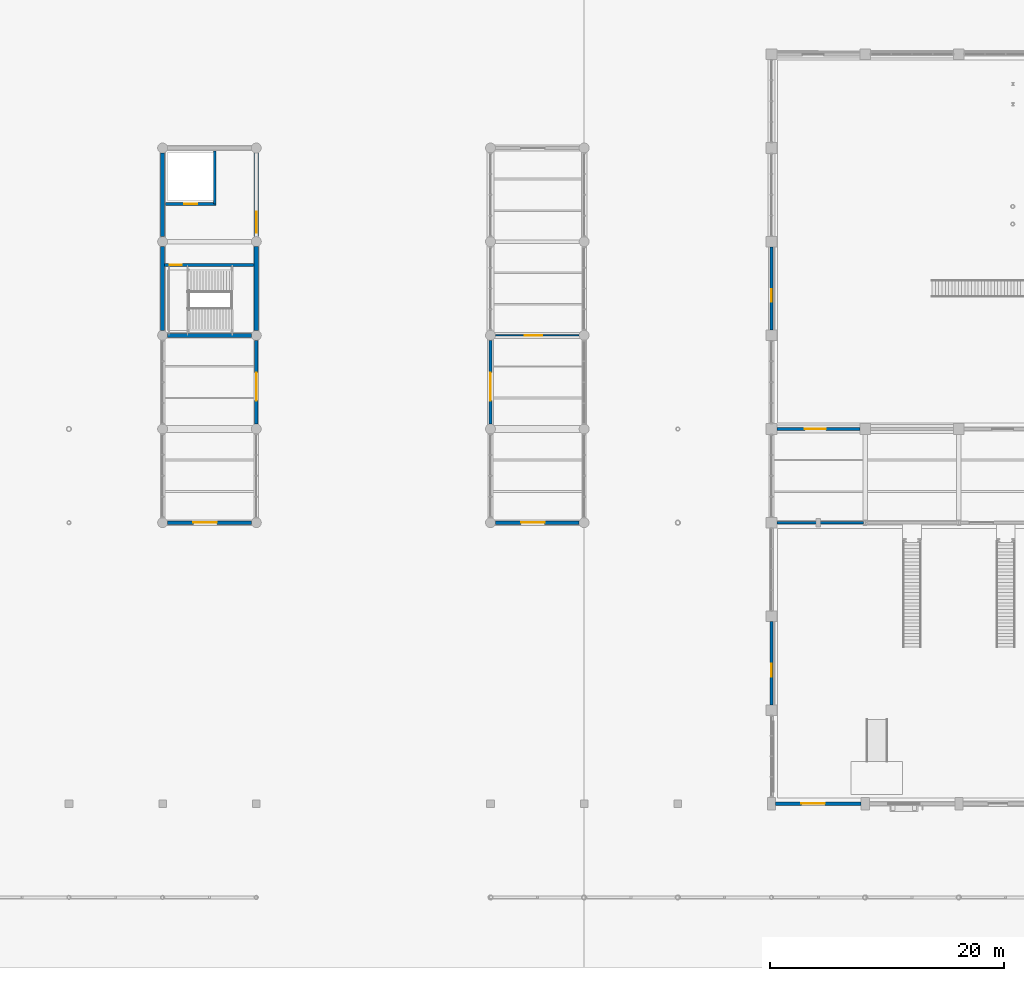
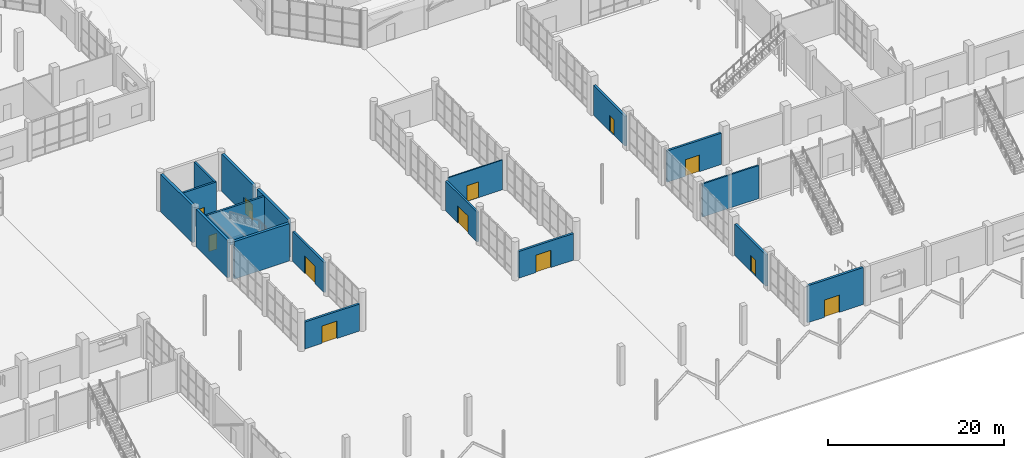
# One storey, part 98 of 123: 18 walls, 12 doors, 12 openings.
"""IFC4 building model written with IfcOpenShell, lengths in metres."""

from ifc_helpers import new_model, si_unit, direction, frame, frame_2d, origin, place, context, subcontext, project, spatial, rectangle, extrude, material, layer, layer_set, type_object, element, fill, save


model = new_model("IFC4")

# Units and contexts
model_context = context("Model", 3, precision=1e-05, world=origin(), true_north=direction((0.0, 1.0)))
body_context = subcontext(model_context, "Body", "Model", "MODEL_VIEW")
ifc_project = project(units=[si_unit("LENGTHUNIT", "METRE"), si_unit("AREAUNIT", "SQUARE_METRE"), si_unit("VOLUMEUNIT", "CUBIC_METRE"), si_unit("PLANEANGLEUNIT", "RADIAN"), si_unit("MASSUNIT", "GRAM", prefix="KILO")], contexts=[model_context])

# Site, building, storey
site_placement = place(None, origin())
site = spatial("IfcSite", under=ifc_project, at=site_placement, CompositionType="ELEMENT")
building_placement = place(site_placement, origin())
building = spatial("IfcBuilding", under=site, at=building_placement, Name="Tenunan Teduh Sports Hall", CompositionType="ELEMENT")
storey_placement = place(building_placement, origin())
storey = spatial("IfcBuildingStorey", under=building, at=storey_placement, Name="L00", CompositionType="ELEMENT", Elevation=0.0)

# Wall, opening, door
ifc_material_1 = material(Name="Concrete C40/50", Category="concrete")
ifc_layer_1 = layer(ifc_material_1, 0.25)
ifc_layer_set_1 = layer_set([ifc_layer_1], Name="Concrete C40/50")
wall_type_1 = type_object("IfcWallType", Name="WL-COR-250", PredefinedType="SOLIDWALL", material=ifc_layer_set_1)
wall_1_placement = place(storey_placement, frame((70.175048828125, 60.0, 0.0), z_axis=(0.0, 0.0, 1.0), x_axis=(1.0, 0.0, 0.0)))
wall_1 = element("IfcWall", 1, at=wall_1_placement, inside=storey, type_object=wall_type_1, Name="WL-COR-L00-233", PredefinedType="SOLIDWALL", context=body_context, shape_type="SweptSolid", body=[
    extrude(rectangle(XDim=7.64990234375, YDim=0.25, at=frame_2d((3.824951171875, 0.0))), origin(), (0.0, 0.0, 1.0), 5.179931640625),
])
opening_1_placement = place(wall_1_placement, frame((0.425048828125, 0.0, 0.0)))
opening_1 = element("IfcOpeningElement", 2, at=opening_1_placement, cuts=wall_1, Name="Opening FD-02", PredefinedType="OPENING", context=body_context, shape_type="SweptSolid", body=[
    extrude(rectangle(XDim=1.050048828125, YDim=2.199951171875, at=frame_2d((0.52490234375, 1.10009765625))), frame((0.0, 0.135009765625, 0.0), z_axis=(0.0, -1.0, 0.0), x_axis=(1.0, 0.0, 0.0)), (0.0, 0.0, 1.0), 0.27001953125),
])
ifc_material_2 = material(Name="Fire-rated steel leaf and frame", Category="steel")
door_type_1 = type_object("IfcDoorType", Name="FDR-02", OperationType="SINGLE_SWING_RIGHT", PredefinedType="DOOR", material=ifc_material_2)
door_1_placement = place(opening_1_placement, frame((1.050048828125, 0.0, 0.0), z_axis=(0.0, 0.0, 1.0), x_axis=(-1.0, 0.0, 0.0)))
door_1 = element("IfcDoor", 3, at=door_1_placement, inside=storey, type_object=door_type_1, Name="DR-INT-L00-089", OperationType="SINGLE_SWING_LEFT", OverallHeight=2.199951171875, OverallWidth=1.050048828125, PredefinedType="DOOR", context=body_context, shape_type="SweptSolid", body=[
    extrude(rectangle(XDim=1.050048828125, YDim=2.199951171875, at=frame_2d((0.52490234375, 1.10009765625))), frame((0.0, 0.02490234375, 0.0), z_axis=(0.0, -1.0, 0.0), x_axis=(1.0, 0.0, 0.0)), (0.0, 0.0, 1.0), 0.050048828125),
])
fill(opening_1, door_1)

wall_2_placement = place(storey_placement, frame((70.25, 65.199951171875, 0.0), z_axis=(0.0, 0.0, 1.0), x_axis=(1.0, 0.0, 0.0)))
wall_2 = element("IfcWall", 4, at=wall_2_placement, inside=storey, type_object=wall_type_1, Name="WL-COR-L00-234", PredefinedType="SOLIDWALL", context=body_context, shape_type="SweptSolid", body=[
    extrude(rectangle(XDim=4.300048828125, YDim=0.25, at=frame_2d((2.14990234375, 0.0))), origin(), (0.0, 0.0, 1.0), 5.179931640625),
])
opening_2_placement = place(wall_2_placement, frame((1.60009765625, 0.0, 0.0)))
opening_2 = element("IfcOpeningElement", 5, at=opening_2_placement, cuts=wall_2, Name="Opening LD-1", PredefinedType="OPENING", context=body_context, shape_type="SweptSolid", body=[
    extrude(rectangle(XDim=1.10009765625, YDim=2.199951171875, at=frame_2d((0.550048828125, 1.10009765625))), frame((0.0, 0.135009765625, 0.0), z_axis=(0.0, -1.0, 0.0), x_axis=(1.0, 0.0, 0.0)), (0.0, 0.0, 1.0), 0.27001953125),
])
ifc_material_3 = material(Name="Brushed stainless steel landing doors", Category="steel")
door_type_2 = type_object("IfcDoorType", Name="LDR-01", OperationType="DOUBLE_DOOR_SLIDING", PredefinedType="DOOR", material=ifc_material_3)
door_2_placement = place(opening_2_placement, origin())
door_2 = element("IfcDoor", 6, at=door_2_placement, inside=storey, type_object=door_type_2, Name="Lift Landing Door LD-33", OperationType="DOUBLE_DOOR_SLIDING", OverallHeight=2.199951171875, OverallWidth=1.10009765625, PredefinedType="DOOR", context=body_context, shape_type="SweptSolid", body=[
    extrude(rectangle(XDim=1.10009765625, YDim=2.199951171875, at=frame_2d((0.550048828125, 1.10009765625))), frame((0.0, 0.02490234375, 0.0), z_axis=(0.0, -1.0, 0.0), x_axis=(1.0, 0.0, 0.0)), (0.0, 0.0, 1.0), 0.050048828125),
])
fill(opening_2, door_2)

# Wall
wall_3_placement = place(storey_placement, frame((74.449951171875, 65.199951171875, 0.0), z_axis=(0.0, 0.0, 1.0), x_axis=(0.0, 1.0, 0.0)))
element("IfcWall", 7, at=wall_3_placement, inside=storey, type_object=wall_type_1, Name="WL-COR-L00-235", PredefinedType="SOLIDWALL", context=body_context, shape_type="SweptSolid", body=[
    extrude(rectangle(XDim=4.550048828125, YDim=0.25, at=frame_2d((2.27490234375, 0.0))), origin(), (0.0, 0.0, 1.0), 5.179931640625),
])

# Wall, opening, door
ifc_material_4 = material(Name="Concrete C40/50", Category="concrete")
ifc_layer_2 = layer(ifc_material_4, 0.280029296875)
ifc_layer_set_2 = layer_set([ifc_layer_2], Name="Concrete C40/50")
wall_type_2 = type_object("IfcWallType", Name="WL-EXT-280", PredefinedType="SOLIDWALL", material=ifc_layer_set_2)
wall_4_placement = place(storey_placement, frame((122.449951171875, 46.0, 0.0), z_axis=(0.0, 0.0, 1.0), x_axis=(1.0, 0.0, 0.0)))
wall_4 = element("IfcWall", 8, at=wall_4_placement, inside=storey, type_object=wall_type_2, Name="WL-EXT-L00-052", PredefinedType="SOLIDWALL", context=body_context, shape_type="SweptSolid", body=[
    extrude(rectangle(XDim=7.10009765625, YDim=0.280029296875, at=frame_2d((3.550048828125, 0.0))), origin(), (0.0, 0.0, 1.0), 4.340087890625),
])
opening_3_placement = place(wall_4_placement, frame((2.39990234375, 0.0, 0.0)))
opening_3 = element("IfcOpeningElement", 9, at=opening_3_placement, cuts=wall_4, Name="Opening ED-02", PredefinedType="OPENING", context=body_context, shape_type="SweptSolid", body=[
    extrude(rectangle(XDim=1.800048828125, YDim=2.300048828125, at=frame_2d((0.89990234375, 1.14990234375))), frame((0.0, 0.14990234375, 0.0), z_axis=(0.0, -1.0, 0.0), x_axis=(1.0, 0.0, 0.0)), (0.0, 0.0, 1.0), 0.300048828125),
])
ifc_material_5 = material(Name="Powder-coated aluminium and laminated safety glass", Category="aluminium")
door_type_3 = type_object("IfcDoorType", Name="EDR-02", OperationType="DOUBLE_DOOR_SINGLE_SWING", PredefinedType="DOOR", material=ifc_material_5)
door_3_placement = place(opening_3_placement, origin())
door_3 = element("IfcDoor", 10, at=door_3_placement, inside=storey, type_object=door_type_3, Name="DR-EXT-L00-003", OperationType="DOUBLE_DOOR_SINGLE_SWING", OverallHeight=2.300048828125, OverallWidth=1.800048828125, PredefinedType="DOOR", context=body_context, shape_type="SweptSolid", body=[
    extrude(rectangle(XDim=1.800048828125, YDim=2.300048828125, at=frame_2d((0.89990234375, 1.14990234375))), frame((0.0, 0.02490234375, 0.0), z_axis=(0.0, -1.0, 0.0), x_axis=(1.0, 0.0, 0.0)), (0.0, 0.0, 1.0), 0.050048828125),
])
fill(opening_3, door_3)

wall_5_placement = place(storey_placement, frame((122.0, 54.449951171875, 0.0), z_axis=(0.0, 0.0, 1.0), x_axis=(0.0, 1.0, 0.0)))
wall_5 = element("IfcWall", 11, at=wall_5_placement, inside=storey, type_object=wall_type_2, Name="WL-EXT-L00-121", PredefinedType="SOLIDWALL", context=body_context, shape_type="SweptSolid", body=[
    extrude(rectangle(XDim=7.10009765625, YDim=0.280029296875, at=frame_2d((3.550048828125, 0.0))), origin(), (0.0, 0.0, 1.0), 4.139892578125),
])
opening_4_placement = place(wall_5_placement, frame((2.39990234375, 0.0, 0.0)))
opening_4 = element("IfcOpeningElement", 12, at=opening_4_placement, cuts=wall_5, Name="Opening ED-03", PredefinedType="OPENING", context=body_context, shape_type="SweptSolid", body=[
    extrude(rectangle(XDim=1.10009765625, YDim=2.199951171875, at=frame_2d((0.550048828125, 1.10009765625))), frame((0.0, 0.14990234375, 0.0), z_axis=(0.0, -1.0, 0.0), x_axis=(1.0, 0.0, 0.0)), (0.0, 0.0, 1.0), 0.300048828125),
])
ifc_material_6 = material(Name="Powder-coated aluminium and laminated safety glass", Category="aluminium")
door_type_4 = type_object("IfcDoorType", Name="EDR-03", OperationType="SINGLE_SWING_LEFT", PredefinedType="DOOR", material=ifc_material_6)
door_4_placement = place(opening_4_placement, frame((1.10009765625, 0.0, 0.0), z_axis=(0.0, 0.0, 1.0), x_axis=(-1.0, 0.0, 0.0)))
door_4 = element("IfcDoor", 13, at=door_4_placement, inside=storey, type_object=door_type_4, Name="DR-EXT-L00-025", OperationType="SINGLE_SWING_LEFT", OverallHeight=2.199951171875, OverallWidth=1.10009765625, PredefinedType="DOOR", context=body_context, shape_type="SweptSolid", body=[
    extrude(rectangle(XDim=1.10009765625, YDim=2.199951171875, at=frame_2d((0.550048828125, 1.10009765625))), frame((0.0, 0.02490234375, 0.0), z_axis=(0.0, -1.0, 0.0), x_axis=(1.0, 0.0, 0.0)), (0.0, 0.0, 1.0), 0.050048828125),
])
fill(opening_4, door_4)

wall_6_placement = place(storey_placement, frame((70.425048828125, 38.0, 0.0), z_axis=(0.0, 0.0, 1.0), x_axis=(1.0, 0.0, 0.0)))
wall_6 = element("IfcWall", 14, at=wall_6_placement, inside=storey, type_object=wall_type_2, Name="WL-EXT-L00-139", PredefinedType="SOLIDWALL", context=body_context, shape_type="SweptSolid", body=[
    extrude(rectangle(XDim=7.14990234375, YDim=0.280029296875, at=frame_2d((3.574951171875, 0.0))), origin(), (0.0, 0.0, 1.0), 3.739990234375),
])
opening_5_placement = place(wall_6_placement, frame((2.199951171875, 0.0, 0.0)))
opening_5 = element("IfcOpeningElement", 15, at=opening_5_placement, cuts=wall_6, Name="Opening ED-01", PredefinedType="OPENING", context=body_context, shape_type="SweptSolid", body=[
    extrude(rectangle(XDim=2.0, YDim=2.39990234375, at=frame_2d((1.0, 1.199951171875))), frame((0.0, 0.14990234375, 0.0), z_axis=(0.0, -1.0, 0.0), x_axis=(1.0, 0.0, 0.0)), (0.0, 0.0, 1.0), 0.300048828125),
])
ifc_material_7 = material(Name="Powder-coated aluminium and laminated safety glass", Category="aluminium")
door_type_5 = type_object("IfcDoorType", Name="EDR-01", OperationType="DOUBLE_DOOR_SINGLE_SWING", PredefinedType="DOOR", material=ifc_material_7)
door_5_placement = place(opening_5_placement, origin())
door_5 = element("IfcDoor", 16, at=door_5_placement, inside=storey, type_object=door_type_5, Name="DR-EXT-L00-028", OperationType="DOUBLE_DOOR_SINGLE_SWING", OverallHeight=2.39990234375, OverallWidth=2.0, PredefinedType="DOOR", context=body_context, shape_type="SweptSolid", body=[
    extrude(rectangle(XDim=2.0, YDim=2.39990234375, at=frame_2d((1.0, 1.199951171875))), frame((0.0, 0.02490234375, 0.0), z_axis=(0.0, -1.0, 0.0), x_axis=(1.0, 0.0, 0.0)), (0.0, 0.0, 1.0), 0.050048828125),
])
fill(opening_5, door_5)

wall_7_placement = place(storey_placement, frame((98.425048828125, 38.0, 0.0), z_axis=(0.0, 0.0, 1.0), x_axis=(1.0, 0.0, 0.0)))
wall_7 = element("IfcWall", 17, at=wall_7_placement, inside=storey, type_object=wall_type_2, Name="WL-EXT-L00-140", PredefinedType="SOLIDWALL", context=body_context, shape_type="SweptSolid", body=[
    extrude(rectangle(XDim=7.14990234375, YDim=0.280029296875, at=frame_2d((3.574951171875, 0.0))), origin(), (0.0, 0.0, 1.0), 3.68994140625),
])
opening_6_placement = place(wall_7_placement, frame((2.199951171875, 0.0, 0.0)))
opening_6 = element("IfcOpeningElement", 18, at=opening_6_placement, cuts=wall_7, Name="Opening ED-01", PredefinedType="OPENING", context=body_context, shape_type="SweptSolid", body=[
    extrude(rectangle(XDim=2.0, YDim=2.39990234375, at=frame_2d((1.0, 1.199951171875))), frame((0.0, 0.14990234375, 0.0), z_axis=(0.0, -1.0, 0.0), x_axis=(1.0, 0.0, 0.0)), (0.0, 0.0, 1.0), 0.300048828125),
])
door_6_placement = place(opening_6_placement, origin())
door_6 = element("IfcDoor", 19, at=door_6_placement, inside=storey, type_object=door_type_5, Name="DR-EXT-L00-029", OperationType="DOUBLE_DOOR_SINGLE_SWING", OverallHeight=2.39990234375, OverallWidth=2.0, PredefinedType="DOOR", context=body_context, shape_type="SweptSolid", body=[
    extrude(rectangle(XDim=2.0, YDim=2.39990234375, at=frame_2d((1.0, 1.199951171875))), frame((0.0, 0.02490234375, 0.0), z_axis=(0.0, -1.0, 0.0), x_axis=(1.0, 0.0, 0.0)), (0.0, 0.0, 1.0), 0.050048828125),
])
fill(opening_6, door_6)

wall_8_placement = place(storey_placement, frame((78.0, 46.425048828125, 0.0), z_axis=(0.0, 0.0, 1.0), x_axis=(0.0, 1.0, 0.0)))
wall_8 = element("IfcWall", 20, at=wall_8_placement, inside=storey, type_object=wall_type_2, Name="WL-EXT-L00-142", PredefinedType="SOLIDWALL", context=body_context, shape_type="SweptSolid", body=[
    extrude(rectangle(XDim=7.14990234375, YDim=0.280029296875, at=frame_2d((3.574951171875, 0.0))), origin(), (0.0, 0.0, 1.0), 4.139892578125),
])
opening_7_placement = place(wall_8_placement, frame((2.0, 0.0, 0.0)))
opening_7 = element("IfcOpeningElement", 21, at=opening_7_placement, cuts=wall_8, Name="Opening ED-05", PredefinedType="OPENING", context=body_context, shape_type="SweptSolid", body=[
    extrude(rectangle(XDim=2.39990234375, YDim=2.39990234375, at=frame_2d((1.199951171875, 1.199951171875))), frame((0.0, 0.14990234375, 0.0), z_axis=(0.0, -1.0, 0.0), x_axis=(1.0, 0.0, 0.0)), (0.0, 0.0, 1.0), 0.300048828125),
])
ifc_material_8 = material(Name="Powder-coated aluminium and laminated safety glass", Category="aluminium")
door_type_6 = type_object("IfcDoorType", Name="EDR-05", OperationType="SLIDING_TO_LEFT", PredefinedType="DOOR", material=ifc_material_8)
door_7_placement = place(opening_7_placement, frame((2.39990234375, 0.0, 0.0), z_axis=(0.0, 0.0, 1.0), x_axis=(-1.0, 0.0, 0.0)))
door_7 = element("IfcDoor", 22, at=door_7_placement, inside=storey, type_object=door_type_6, Name="DR-EXT-L00-031", OperationType="SLIDING_TO_LEFT", OverallHeight=2.39990234375, OverallWidth=2.39990234375, PredefinedType="DOOR", context=body_context, shape_type="SweptSolid", body=[
    extrude(rectangle(XDim=2.39990234375, YDim=2.39990234375, at=frame_2d((1.199951171875, 1.199951171875))), frame((0.0, 0.02490234375, 0.0), z_axis=(0.0, -1.0, 0.0), x_axis=(1.0, 0.0, 0.0)), (0.0, 0.0, 1.0), 0.050048828125),
])
fill(opening_7, door_7)

wall_9_placement = place(storey_placement, frame((98.0, 46.425048828125, 0.0), z_axis=(0.0, 0.0, 1.0), x_axis=(0.0, 1.0, 0.0)))
wall_9 = element("IfcWall", 23, at=wall_9_placement, inside=storey, type_object=wall_type_2, Name="WL-EXT-L00-143", PredefinedType="SOLIDWALL", context=body_context, shape_type="SweptSolid", body=[
    extrude(rectangle(XDim=7.14990234375, YDim=0.280029296875, at=frame_2d((3.574951171875, 0.0))), origin(), (0.0, 0.0, 1.0), 4.139892578125),
])
opening_8_placement = place(wall_9_placement, frame((2.0, 0.0, 0.0)))
opening_8 = element("IfcOpeningElement", 24, at=opening_8_placement, cuts=wall_9, Name="Opening ED-05", PredefinedType="OPENING", context=body_context, shape_type="SweptSolid", body=[
    extrude(rectangle(XDim=2.39990234375, YDim=2.39990234375, at=frame_2d((1.199951171875, 1.199951171875))), frame((0.0, 0.14990234375, 0.0), z_axis=(0.0, -1.0, 0.0), x_axis=(1.0, 0.0, 0.0)), (0.0, 0.0, 1.0), 0.300048828125),
])
door_8_placement = place(opening_8_placement, origin())
door_8 = element("IfcDoor", 25, at=door_8_placement, inside=storey, type_object=door_type_6, Name="DR-EXT-L00-032", OperationType="SLIDING_TO_LEFT", OverallHeight=2.39990234375, OverallWidth=2.39990234375, PredefinedType="DOOR", context=body_context, shape_type="SweptSolid", body=[
    extrude(rectangle(XDim=2.39990234375, YDim=2.39990234375, at=frame_2d((1.199951171875, 1.199951171875))), frame((0.0, 0.02490234375, 0.0), z_axis=(0.0, -1.0, 0.0), x_axis=(1.0, 0.0, 0.0)), (0.0, 0.0, 1.0), 0.050048828125),
])
fill(opening_8, door_8)

ifc_material_9 = material(Name="Concrete C40/50", Category="concrete")
ifc_layer_3 = layer(ifc_material_9, 0.2900390625)
ifc_layer_set_3 = layer_set([ifc_layer_3], Name="Concrete C40/50")
wall_type_3 = type_object("IfcWallType", Name="WL-EXT-290", PredefinedType="SOLIDWALL", material=ifc_layer_set_3)
wall_10_placement = place(storey_placement, frame((122.0, 22.449951171875, 0.0), z_axis=(0.0, 0.0, 1.0), x_axis=(0.0, 1.0, 0.0)))
wall_10 = element("IfcWall", 26, at=wall_10_placement, inside=storey, type_object=wall_type_3, Name="WL-EXT-L00-063", PredefinedType="SOLIDWALL", context=body_context, shape_type="SweptSolid", body=[
    extrude(rectangle(XDim=7.10009765625, YDim=0.2900390625, at=frame_2d((3.550048828125, 0.0))), origin(), (0.0, 0.0, 1.0), 4.340087890625),
])
opening_9_placement = place(wall_10_placement, frame((2.39990234375, 0.0, 0.0)))
opening_9 = element("IfcOpeningElement", 27, at=opening_9_placement, cuts=wall_10, Name="Opening ED-03", PredefinedType="OPENING", context=body_context, shape_type="SweptSolid", body=[
    extrude(rectangle(XDim=1.10009765625, YDim=2.199951171875, at=frame_2d((0.550048828125, 1.10009765625))), frame((0.0, 0.155029296875, 0.0), z_axis=(0.0, -1.0, 0.0), x_axis=(1.0, 0.0, 0.0)), (0.0, 0.0, 1.0), 0.31005859375),
])
door_9_placement = place(opening_9_placement, frame((1.10009765625, 0.0, 0.0), z_axis=(0.0, 0.0, 1.0), x_axis=(-1.0, 0.0, 0.0)))
door_9 = element("IfcDoor", 28, at=door_9_placement, inside=storey, type_object=door_type_4, Name="DR-EXT-L00-009", OperationType="SINGLE_SWING_LEFT", OverallHeight=2.199951171875, OverallWidth=1.10009765625, PredefinedType="DOOR", context=body_context, shape_type="SweptSolid", body=[
    extrude(rectangle(XDim=1.10009765625, YDim=2.199951171875, at=frame_2d((0.550048828125, 1.10009765625))), frame((0.0, 0.02490234375, 0.0), z_axis=(0.0, -1.0, 0.0), x_axis=(1.0, 0.0, 0.0)), (0.0, 0.0, 1.0), 0.050048828125),
])
fill(opening_9, door_9)

ifc_material_10 = material(Name="Concrete C40/50", Category="concrete")
ifc_layer_4 = layer(ifc_material_10, 0.300048828125)
ifc_layer_set_4 = layer_set([ifc_layer_4], Name="Concrete C40/50")
wall_type_4 = type_object("IfcWallType", Name="WL-EXT-300", PredefinedType="SOLIDWALL", material=ifc_layer_set_4)
wall_11_placement = place(storey_placement, frame((122.35009765625, 14.0, 0.0), z_axis=(0.0, 0.0, 1.0), x_axis=(1.0, 0.0, 0.0)))
wall_11 = element("IfcWall", 29, at=wall_11_placement, inside=storey, type_object=wall_type_4, Name="WL-EXT-L00-051", PredefinedType="SOLIDWALL", context=body_context, shape_type="SweptSolid", body=[
    extrude(rectangle(XDim=7.2998046875, YDim=0.300048828125, at=frame_2d((3.64990234375, 0.0))), origin(), (0.0, 0.0, 1.0), 5.1201171875),
])
opening_10_placement = place(wall_11_placement, frame((2.199951171875, 0.0, 0.0)))
opening_10 = element("IfcOpeningElement", 30, at=opening_10_placement, cuts=wall_11, Name="Opening ED-01", PredefinedType="OPENING", context=body_context, shape_type="SweptSolid", body=[
    extrude(rectangle(XDim=2.0, YDim=2.39990234375, at=frame_2d((1.0, 1.199951171875))), frame((0.0, 0.159912109375, 0.0), z_axis=(0.0, -1.0, 0.0), x_axis=(1.0, 0.0, 0.0)), (0.0, 0.0, 1.0), 0.320068359375),
])
door_10_placement = place(opening_10_placement, origin())
door_10 = element("IfcDoor", 31, at=door_10_placement, inside=storey, type_object=door_type_5, Name="DR-EXT-L00-002", OperationType="DOUBLE_DOOR_SINGLE_SWING", OverallHeight=2.39990234375, OverallWidth=2.0, PredefinedType="DOOR", context=body_context, shape_type="SweptSolid", body=[
    extrude(rectangle(XDim=2.0, YDim=2.39990234375, at=frame_2d((1.0, 1.199951171875))), frame((0.0, 0.02490234375, 0.0), z_axis=(0.0, -1.0, 0.0), x_axis=(1.0, 0.0, 0.0)), (0.0, 0.0, 1.0), 0.050048828125),
])
fill(opening_10, door_10)

ifc_material_11 = material(Name="Acoustic stud and double plasterboard")
ifc_layer_5 = layer(ifc_material_11, 0.14990234375)
ifc_layer_set_5 = layer_set([ifc_layer_5], Name="Acoustic stud and double plasterboard")
wall_type_5 = type_object("IfcWallType", Name="WL-PRT-150", PredefinedType="PARTITIONING", material=ifc_layer_set_5)
wall_12_placement = place(storey_placement, frame((98.425048828125, 54.0, 0.0), z_axis=(0.0, 0.0, 1.0), x_axis=(1.0, 0.0, 0.0)))
wall_12 = element("IfcWall", 32, at=wall_12_placement, inside=storey, type_object=wall_type_5, Name="WL-PRT-L00-301", PredefinedType="PARTITIONING", context=body_context, shape_type="SweptSolid", body=[
    extrude(rectangle(XDim=7.14990234375, YDim=0.14990234375, at=frame_2d((3.574951171875, 0.0))), origin(), (0.0, 0.0, 1.0), 4.139892578125),
])
opening_11_placement = place(wall_12_placement, frame((2.5, 0.0, 0.0)))
opening_11 = element("IfcOpeningElement", 33, at=opening_11_placement, cuts=wall_12, Name="Opening ID-04", PredefinedType="OPENING", context=body_context, shape_type="SweptSolid", body=[
    extrude(rectangle(XDim=1.5, YDim=2.199951171875, at=frame_2d((0.75, 1.10009765625))), frame((0.0, 0.0849609375, 0.0), z_axis=(0.0, -1.0, 0.0), x_axis=(1.0, 0.0, 0.0)), (0.0, 0.0, 1.0), 0.169921875),
])
ifc_material_12 = material(Name="Acoustic studio timber pair", Category="wood")
door_type_7 = type_object("IfcDoorType", Name="IDR-04", OperationType="DOUBLE_DOOR_SINGLE_SWING", PredefinedType="DOOR", material=ifc_material_12)
door_11_placement = place(opening_11_placement, origin())
door_11 = element("IfcDoor", 34, at=door_11_placement, inside=storey, type_object=door_type_7, Name="DR-INT-L00-114", OperationType="DOUBLE_DOOR_SINGLE_SWING", OverallHeight=2.199951171875, OverallWidth=1.5, PredefinedType="DOOR", context=body_context, shape_type="SweptSolid", body=[
    extrude(rectangle(XDim=1.5, YDim=2.199951171875, at=frame_2d((0.75, 1.10009765625))), frame((0.0, 0.02490234375, 0.0), z_axis=(0.0, -1.0, 0.0), x_axis=(1.0, 0.0, 0.0)), (0.0, 0.0, 1.0), 0.050048828125),
])
fill(opening_11, door_11)

# Walls
ifc_material_13 = material(Name="Autoclaved aerated concrete blockwork", Category="masonry")
ifc_layer_6 = layer(ifc_material_13, 0.199951171875)
ifc_layer_set_6 = layer_set([ifc_layer_6], Name="Autoclaved aerated concrete blockwork")
wall_type_6 = type_object("IfcWallType", Name="WL-PRT-200", PredefinedType="PARTITIONING", material=ifc_layer_set_6)
wall_13_placement = place(storey_placement, frame((122.449951171875, 38.0, 0.0), z_axis=(0.0, 0.0, 1.0), x_axis=(1.0, 0.0, 0.0)))
element("IfcWall", 35, at=wall_13_placement, inside=storey, type_object=wall_type_6, Name="WL-PRT-L00-282", PredefinedType="PARTITIONING", context=body_context, shape_type="SweptSolid", body=[
    extrude(rectangle(XDim=7.400146484375, YDim=0.199951171875, at=frame_2d((3.7001953125, 0.0))), origin(), (0.0, 0.0, 1.0), 4.590087890625),
])
ifc_material_14 = material(Name="Concrete C40/50", Category="concrete")
ifc_layer_7 = layer(ifc_material_14, 0.35009765625)
ifc_layer_set_7 = layer_set([ifc_layer_7], Name="Concrete C40/50")
wall_type_7 = type_object("IfcWallType", Name="WL-SHR-350", PredefinedType="SHEAR", material=ifc_layer_set_7)
for number, where, z_axis, x_axis, name in (
    (36, (70.425048828125, 54.0, 0.0), (0.0, 0.0, 1.0), (1.0, 0.0, 0.0), "WL-COR-L00-227"),
    (37, (70.0, 54.425048828125, 0.0), (0.0, 0.0, 1.0), (0.0, 1.0, 0.0), "WL-COR-L00-229"),
    (38, (70.0, 62.425048828125, 0.0), (0.0, 0.0, 1.0), (0.0, 1.0, 0.0), "WL-COR-L00-230"),
    (39, (78.0, 54.425048828125, 0.0), (0.0, 0.0, 1.0), (0.0, 1.0, 0.0), "WL-COR-L00-231"),
):
    element("IfcWall", number, at=place(storey_placement, frame(where, z_axis=z_axis, x_axis=x_axis)), inside=storey, type_object=wall_type_7, Name=name, PredefinedType="SHEAR", context=body_context, shape_type="SweptSolid", body=[
        extrude(rectangle(XDim=7.14990234375, YDim=0.35009765625, at=frame_2d((3.574951171875, 0.0))), origin(), (0.0, 0.0, 1.0), 5.179931640625),
    ])

# Wall, opening, door
wall_14_placement = place(storey_placement, frame((78.0, 62.425048828125, 0.0), z_axis=(0.0, 0.0, 1.0), x_axis=(0.0, 1.0, 0.0)))
wall_14 = element("IfcWall", 40, at=wall_14_placement, inside=storey, type_object=wall_type_7, Name="WL-COR-L00-232", PredefinedType="SHEAR", context=body_context, shape_type="SweptSolid", body=[
    extrude(rectangle(XDim=7.14990234375, YDim=0.35009765625, at=frame_2d((3.574951171875, 0.0))), origin(), (0.0, 0.0, 1.0), 5.179931640625),
])
opening_12_placement = place(wall_14_placement, frame((0.35009765625, 0.0, 0.0)))
opening_12 = element("IfcOpeningElement", 41, at=opening_12_placement, cuts=wall_14, Name="Opening FD-03", PredefinedType="OPENING", context=body_context, shape_type="SweptSolid", body=[
    extrude(rectangle(XDim=1.800048828125, YDim=2.199951171875, at=frame_2d((0.89990234375, 1.10009765625))), frame((0.0, 0.18505859375, 0.0), z_axis=(0.0, -1.0, 0.0), x_axis=(1.0, 0.0, 0.0)), (0.0, 0.0, 1.0), 0.3701171875),
])
ifc_material_15 = material(Name="Fire-rated hardwood pair", Category="wood")
door_type_8 = type_object("IfcDoorType", Name="FDR-03", OperationType="DOUBLE_DOOR_SINGLE_SWING", PredefinedType="DOOR", material=ifc_material_15)
door_12_placement = place(opening_12_placement, frame((1.800048828125, 0.0, 0.0), z_axis=(0.0, 0.0, 1.0), x_axis=(-1.0, 0.0, 0.0)))
door_12 = element("IfcDoor", 42, at=door_12_placement, inside=storey, type_object=door_type_8, Name="DR-INT-L00-088", OperationType="DOUBLE_DOOR_SINGLE_SWING", OverallHeight=2.199951171875, OverallWidth=1.800048828125, PredefinedType="DOOR", context=body_context, shape_type="SweptSolid", body=[
    extrude(rectangle(XDim=1.800048828125, YDim=2.199951171875, at=frame_2d((0.89990234375, 1.10009765625))), frame((0.0, 0.02490234375, 0.0), z_axis=(0.0, -1.0, 0.0), x_axis=(1.0, 0.0, 0.0)), (0.0, 0.0, 1.0), 0.050048828125),
])
fill(opening_12, door_12)

save(model, "model.ifc")
